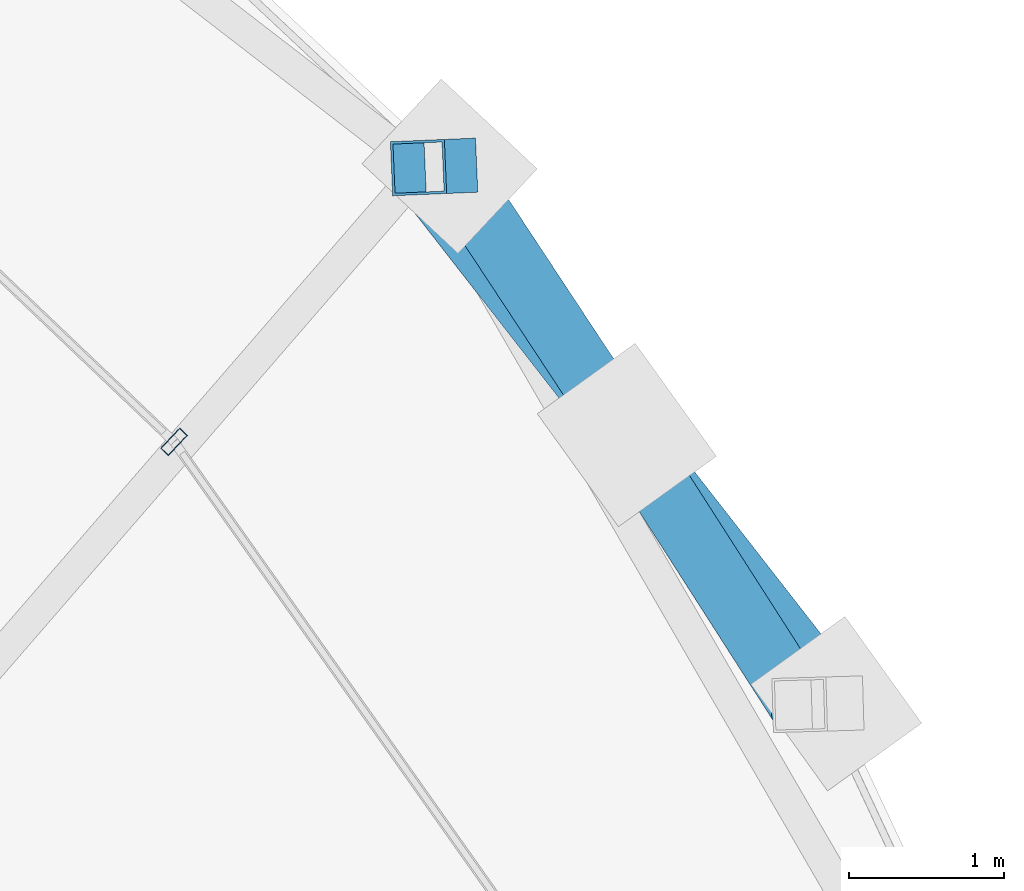
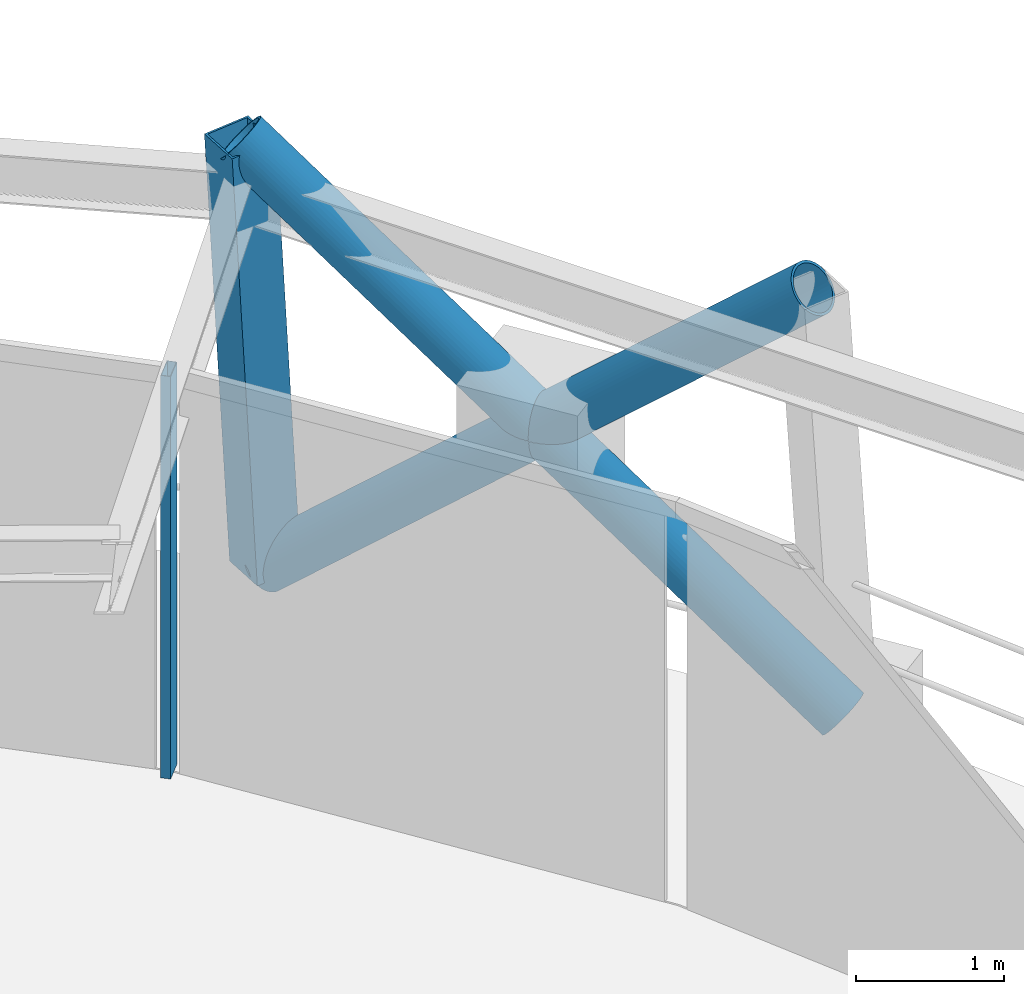
# One storey, part 10 of 17: 5 members, 1 element without a shape of its own.
"""IFC4 building model written with IfcOpenShell, lengths in metres."""

import ifcopenshell
import ifcopenshell.guid

model = None  # the IFC model being written
_history = None  # IfcOwnerHistory: only IFC2X3 demands one
_inside = {}  # id of a spatial element -> (the spatial element, [elements in it])
_under = {}  # id of a project, library or spatial element -> (it, [spatial elements below it])
_declared = {}  # id of a project -> (the project, [libraries it declares])
_typed = {}  # id of a type object -> (the type object, [elements of that type])
_made_of = {}  # id of a material, layer set ... -> (it, [elements and type objects made of it])


def new_model(schema):
    """Start an empty IFC model of exactly this schema.

    Asked for "IFC4X3", IfcOpenShell would pick the latest addendum, in which some entities
    have other attributes; the version numbers below select the first issue.
    IFC2X3 requires an IfcOwnerHistory on every rooted entity: one is made here for all.
    """
    global model, _history
    if schema == "IFC4X3":
        model = ifcopenshell.file(schema_version=(4, 3, 0, 0))
    else:
        model = ifcopenshell.file(schema=schema)
    _inside.clear()
    _under.clear()
    _declared.clear()
    _typed.clear()
    _made_of.clear()
    _history = None
    if model.schema == "IFC2X3":
        org = make("IfcOrganization", Name="unknown")
        user = make(
            "IfcPersonAndOrganization",
            ThePerson=make("IfcPerson", FamilyName="unknown"),
            TheOrganization=org,
        )
        app = make(
            "IfcApplication",
            ApplicationDeveloper=org,
            Version="unknown",
            ApplicationFullName="unknown",
            ApplicationIdentifier="unknown",
        )
        _history = make(
            "IfcOwnerHistory",
            OwningUser=user,
            OwningApplication=app,
            ChangeAction="ADDED",
            CreationDate=0,
        )
    return model


def make(cls, **values):
    """One entity of the class cls with the attributes given. An attribute that is None is left unset."""
    return model.create_entity(
        cls, **{name: value for name, value in values.items() if value is not None}
    )


def rooted(cls, **values):
    """An entity with a GlobalId (a new one), such as an element, a storey or a relation."""
    return make(cls, GlobalId=ifcopenshell.guid.new(), OwnerHistory=_history, **values)


def si_unit(unit_type, name, prefix=None):
    """IfcSIUnit, for example si_unit("LENGTHUNIT", "METRE", prefix="MILLI")."""
    return make("IfcSIUnit", UnitType=unit_type, Prefix=prefix, Name=name)


def assignment(units):
    """IfcUnitAssignment: the units of a project."""
    return None if units is None else make("IfcUnitAssignment", Units=units)


def point(xyz):
    """IfcCartesianPoint."""
    return None if xyz is None else make("IfcCartesianPoint", Coordinates=xyz)


def direction(xyz):
    """IfcDirection."""
    return None if xyz is None else make("IfcDirection", DirectionRatios=xyz)


def frame(location, z_axis=None, x_axis=None):
    """IfcAxis2Placement3D, a coordinate frame: its origin and axes. An axis left out is left unset."""
    return make(
        "IfcAxis2Placement3D",
        Location=point(location),
        Axis=direction(z_axis),
        RefDirection=direction(x_axis),
    )


def frame_2d(location, x_axis=None):
    """IfcAxis2Placement2D, a coordinate frame in the plane: its origin and x axis."""
    return make(
        "IfcAxis2Placement2D", Location=point(location), RefDirection=direction(x_axis)
    )


def origin():
    """The frame at (0, 0, 0) with its axes left unset."""
    return frame((0.0, 0.0, 0.0))


def origin_2d():
    """The frame at (0, 0) in the plane with its x axis left unset."""
    return frame_2d((0.0, 0.0))


def place(relative_to, where):
    """IfcLocalPlacement: puts the frame where relative to a parent placement (None: the world)."""
    return make(
        "IfcLocalPlacement", PlacementRelTo=relative_to, RelativePlacement=where
    )


def context(
    kind, dimensions, precision=None, world=None, true_north=None, identifier=None
):
    """IfcGeometricRepresentationContext, for example the 3D "Model" context."""
    return make(
        "IfcGeometricRepresentationContext",
        ContextIdentifier=identifier,
        ContextType=kind,
        CoordinateSpaceDimension=dimensions,
        Precision=precision,
        WorldCoordinateSystem=world,
        TrueNorth=true_north,
    )


def subcontext(parent, identifier, kind, view, scale=None):
    """IfcGeometricRepresentationSubContext, for example "Body" below "Model"."""
    return make(
        "IfcGeometricRepresentationSubContext",
        ContextIdentifier=identifier,
        ContextType=kind,
        ParentContext=parent,
        TargetScale=scale,
        TargetView=view,
    )


def project(units=None, contexts=None):
    """IfcProject with its units and contexts."""
    return rooted(
        "IfcProject",
        Name="project",
        RepresentationContexts=contexts,
        UnitsInContext=assignment(units),
    )


def spatial(cls, under=None, at=None, **own):
    """A site, building, storey or space (cls), placed at a placement, below another one or the project."""
    s = rooted(cls, ObjectPlacement=at, **own)
    if under is not None:
        _under.setdefault(under.id(), (under, []))[1].append(s)
    return s


def profile(cls, at=None, kind="AREA", **sizes):
    """A parametric profile (cls). Its sizes go by their IFC names, for example OverallWidth=200.0."""
    return make(cls, ProfileType=kind, Position=at, **sizes)


def hollow_rectangle(**sizes):
    """IfcRectangleHollowProfileDef."""
    return profile("IfcRectangleHollowProfileDef", **sizes)


def hollow_circle(**sizes):
    """IfcCircleHollowProfileDef."""
    return profile("IfcCircleHollowProfileDef", **sizes)


def extrude(swept, where, along, depth):
    """IfcExtrudedAreaSolid: the profile swept, set in the frame where, extruded along a direction by depth."""
    return make(
        "IfcExtrudedAreaSolid",
        SweptArea=swept,
        Position=where,
        ExtrudedDirection=direction(along),
        Depth=depth,
    )


def shape(context_of_items, identifier, shape_type, items):
    """IfcShapeRepresentation: the items that make up one representation, for example the "Body"."""
    return make(
        "IfcShapeRepresentation",
        ContextOfItems=context_of_items,
        RepresentationIdentifier=identifier,
        RepresentationType=shape_type,
        Items=items,
    )


def material(Name=None, Category=None):
    """IfcMaterial."""
    return make("IfcMaterial", Name=Name, Category=Category)


def layer(
    of_material, thickness, ventilated=None, Name=None, Category=None, Priority=None
):
    """IfcMaterialLayer: one layer of a wall or slab, of a material (None: an air gap)."""
    return make(
        "IfcMaterialLayer",
        Material=of_material,
        LayerThickness=thickness,
        IsVentilated=ventilated,
        Name=Name,
        Category=Category,
        Priority=Priority,
    )


def layer_set(layers, Name=None):
    """IfcMaterialLayerSet."""
    return make("IfcMaterialLayerSet", MaterialLayers=layers, LayerSetName=Name)


def material_profile(
    of_material, cross_section, Name=None, Category=None, Priority=None
):
    """IfcMaterialProfile: a cross section and its material."""
    return make(
        "IfcMaterialProfile",
        Name=Name,
        Material=of_material,
        Profile=cross_section,
        Priority=Priority,
        Category=Category,
    )


def profile_set(profiles, Name=None, composite=None):
    """IfcMaterialProfileSet."""
    return make(
        "IfcMaterialProfileSet",
        Name=Name,
        MaterialProfiles=profiles,
        CompositeProfile=composite,
    )


def made_of(thing, what):
    """Note that an element or type object is made of a material, layer set ...; save() writes the relation."""
    if what is not None:
        _made_of.setdefault(what.id(), (what, []))[1].append(thing)
    return thing


def type_object(cls, material=None, **own):
    """A type object (cls), such as IfcWallType, which elements share."""
    return made_of(rooted(cls, **own), material)


def element(
    cls,
    number,
    at=None,
    inside=None,
    cuts=None,
    type_object=None,
    material=None,
    context=None,
    identifier="Body",
    shape_type=None,
    held_by="IfcProductDefinitionShape",
    body=None,
    shapes=None,
    **own,
):
    """One element of the class cls, such as IfcWall. Its Tag is "e" and its number.

    at: its placement. inside: the storey or other place that contains it. cuts: it is an
    opening in that element (IfcRelVoidsElement). A single representation is given by context,
    identifier, shape_type and body (its items); several are given by shapes. held_by: the class
    of the entity that holds the representations. save() writes the other relations.
    """
    e = rooted(cls, Tag="e%d" % number, ObjectPlacement=at, **own)
    if body is not None:
        shapes = [shape(context, identifier, shape_type, body)]
    if shapes is not None:
        e.Representation = make(held_by, Representations=shapes)
    if inside is not None:
        _inside.setdefault(inside.id(), (inside, []))[1].append(e)
    if cuts is not None:
        rooted(
            "IfcRelVoidsElement", RelatingBuildingElement=cuts, RelatedOpeningElement=e
        )
    if type_object is not None:
        _typed.setdefault(type_object.id(), (type_object, []))[1].append(e)
    return made_of(e, material)


def aggregate(whole, parts):
    """IfcRelAggregates: a whole, such as a stair, and the parts it consists of."""
    return rooted("IfcRelAggregates", RelatingObject=whole, RelatedObjects=parts)


def save(model, path):
    """Write the relations noted so far, then the file.

    IfcRelAggregates (storeys below a building ...), IfcRelContainedInSpatialStructure (elements
    in a storey), IfcRelDefinesByType, IfcRelAssociatesMaterial and IfcRelDeclares: one each for
    every whole, place, type object, material and project.
    """
    for whole, parts in _under.values():
        aggregate(whole, parts)
    for where, things in _inside.values():
        rooted(
            "IfcRelContainedInSpatialStructure",
            RelatedElements=things,
            RelatingStructure=where,
        )
    for kind, things in _typed.values():
        rooted("IfcRelDefinesByType", RelatedObjects=things, RelatingType=kind)
    for what, things in _made_of.values():
        rooted("IfcRelAssociatesMaterial", RelatedObjects=things, RelatingMaterial=what)
    for by, libraries in _declared.values():
        rooted("IfcRelDeclares", RelatingContext=by, RelatedDefinitions=libraries)
    model.write(path)


model = new_model("IFC4")

# Units and contexts
model_context = context("Model", 3, precision=1e-05, world=origin(), true_north=direction((0.0, 1.0)))
body_context = subcontext(model_context, "Body", "Model", "MODEL_VIEW")
ifc_project = project(units=[si_unit("LENGTHUNIT", "METRE"), si_unit("AREAUNIT", "SQUARE_METRE"), si_unit("VOLUMEUNIT", "CUBIC_METRE"), si_unit("PLANEANGLEUNIT", "RADIAN"), si_unit("MASSUNIT", "GRAM", prefix="KILO")], contexts=[model_context])

# Site, building, storey
site_placement = place(None, origin())
site = spatial("IfcSite", under=ifc_project, at=site_placement, CompositionType="ELEMENT")
building_placement = place(site_placement, origin())
building = spatial("IfcBuilding", under=site, at=building_placement, Name="Veldorina Hangang Commons", CompositionType="ELEMENT")
storey_placement = place(building_placement, frame((0.0, 0.0, 286.800048828125)))
storey = spatial("IfcBuildingStorey", under=building, at=storey_placement, Name="L75", CompositionType="ELEMENT", Elevation=286.800048828125)

# Curtain wall, member
ifc_material_1 = material(Name="Glass Low-E Selective", Category="glass")
ifc_layer = layer(ifc_material_1, 0.179931640625)
ifc_layer_set = layer_set([ifc_layer], Name="Glass Low-E Selective")
curtain_wall_type = type_object("IfcCurtainWallType", Name="CW-SYS-Z3", PredefinedType="NOTDEFINED", material=ifc_layer_set)
curtain_wall_placement = place(storey_placement, origin())
curtain_wall = element("IfcCurtainWall", 1, at=curtain_wall_placement, inside=storey, type_object=curtain_wall_type, Name="L75 unitised curtain wall CW-L75-R1", PredefinedType="NOTDEFINED")
ifc_material_2 = material(Name="Aluminium Anodized AA6063-T6", Category="aluminium")
ifc_material_profile_1 = material_profile(ifc_material_2, hollow_rectangle(XDim=0.070068359375, YDim=0.179931640625, WallThickness=0.00390625, at=origin_2d()), Name="ALU-RHS-180x70x4")
ifc_profile_set_1 = profile_set([ifc_material_profile_1], Name="Aluminium Anodized AA6063-T6")
member_type_1 = type_object("IfcMemberType", Name="CW-MUL-180", PredefinedType="MULLION", material=ifc_profile_set_1)
member_1_placement = place(storey_placement, frame((44.43505859375, 38.4365234375, 0.0), z_axis=(0.0, 0.0, 1.0), x_axis=(-0.724003333978, 0.689796471714, 0.0)))
member_1 = element("IfcMember", 2, at=member_1_placement, type_object=member_type_1, Name="CW-L75-R1 vertical mullion 3", PredefinedType="MULLION", context=body_context, shape_type="SweptSolid", body=[
    extrude(hollow_rectangle(XDim=0.070068359375, YDim=0.179931640625, WallThickness=0.00390625, at=origin_2d()), origin(), (0.0, 0.0, 1.0), 3.320068359375),
])
aggregate(curtain_wall, [member_1])

# Members
ifc_material_3 = material(Name="Steel SM355-TMC", Category="steel")
ifc_material_profile_2 = material_profile(ifc_material_3, hollow_circle(Radius=0.199951171875, WallThickness=0.02001953125, at=origin_2d()), Name="CHS-400x20")
ifc_profile_set_2 = profile_set([ifc_material_profile_2], Name="Steel SM355-TMC")
member_type_2 = type_object("IfcMemberType", Name="DG-CHS400", PredefinedType="BRACE", material=ifc_profile_set_2)
member_2_placement = place(storey_placement, frame((48.71728515625, 36.742919921875, 0.0), z_axis=(-0.475494074974, 0.610256787953, 0.633633993266), x_axis=(-0.78881952626, -0.614624889661, 0.0)))
element("IfcMember", 3, at=member_2_placement, inside=storey, type_object=member_type_2, Name="L75 continuous perimeter diagrid brace 03", PredefinedType="BRACE", context=body_context, shape_type="SweptSolid", body=[
    extrude(hollow_circle(Radius=0.199951171875, WallThickness=0.02001953125, at=origin_2d()), origin(), (0.0, 0.0, 1.0), 5.681396484375),
])
member_3_placement = place(storey_placement, frame((46.217041015625, 40.218505859375, 0.0), z_axis=(0.415990856857, -0.630810165979, 0.655003924804), x_axis=(0.83481855342, 0.550525188221, 0.0)))
element("IfcMember", 4, at=member_3_placement, inside=storey, type_object=member_type_2, Name="L75 split perimeter diagrid lower brace 04", PredefinedType="BRACE", context=body_context, shape_type="SweptSolid", body=[
    extrude(hollow_circle(Radius=0.199951171875, WallThickness=0.02001953125, at=origin_2d()), origin(), (0.0, 0.0, 1.0), 2.7548828125),
])
member_4_placement = place(storey_placement, frame((47.363037109375, 38.480712890625, 1.804443359375), z_axis=(0.407671286744, -0.636351903685, 0.654874321257), x_axis=(0.842027358063, 0.539434823008, 0.0)))
element("IfcMember", 5, at=member_4_placement, inside=storey, type_object=member_type_2, Name="L75 split perimeter diagrid upper brace 04", PredefinedType="BRACE", context=body_context, shape_type="SweptSolid", body=[
    extrude(hollow_circle(Radius=0.199951171875, WallThickness=0.02001953125, at=origin_2d()), origin(), (0.0, 0.0, 1.0), 2.74169921875),
])
ifc_material_profile_3 = material_profile(ifc_material_3, hollow_rectangle(XDim=0.35009765625, YDim=0.35009765625, WallThickness=0.01611328125, at=origin_2d()), Name="SHS-350x350x16")
ifc_profile_set_3 = profile_set([ifc_material_profile_3], Name="Steel SM355-TMC")
member_type_3 = type_object("IfcMemberType", Name="STR-SHS350", PredefinedType="STRUT", material=ifc_profile_set_3)
member_5_placement = place(storey_placement, frame((46.217041015625, 40.218505859375, 0.0), z_axis=(-0.055796137019, -0.002369981548, 0.998439369357), x_axis=(0.042437462837, -0.999099125086, 0.0)))
element("IfcMember", 6, at=member_5_placement, inside=storey, type_object=member_type_3, Name="L75 perimeter ring node post 04", PredefinedType="STRUT", context=body_context, shape_type="SweptSolid", body=[
    extrude(hollow_rectangle(XDim=0.35009765625, YDim=0.35009765625, WallThickness=0.01611328125, at=origin_2d()), origin(), (0.0, 0.0, 1.0), 3.60546875),
])

save(model, "model.ifc")
